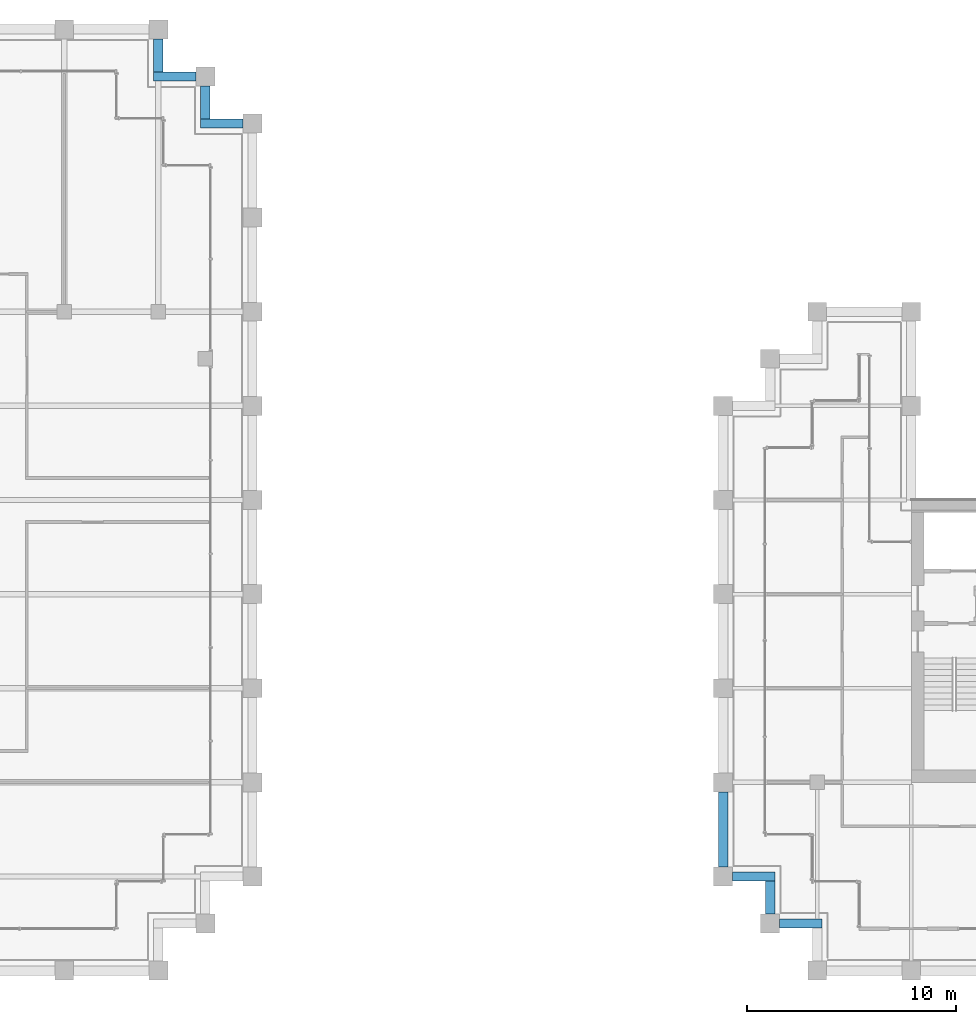
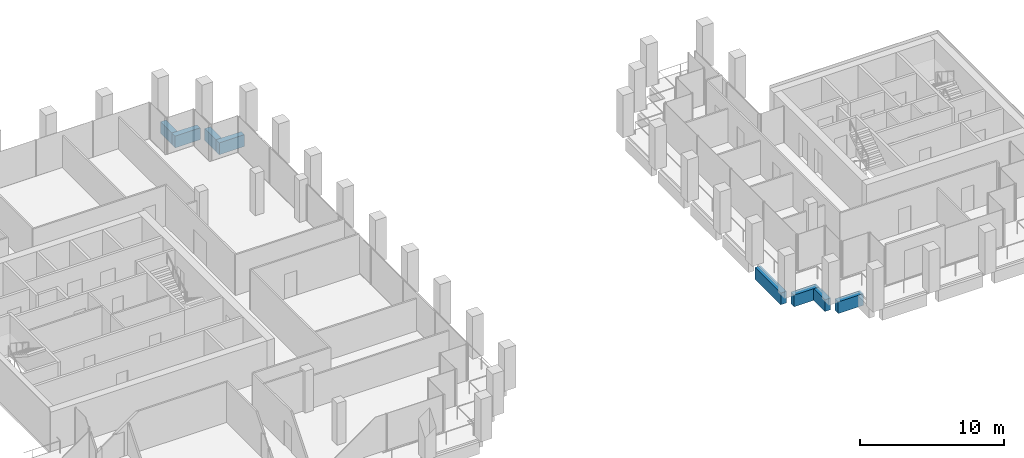
# One storey, part 27 of 40: 8 beams.
"""IFC4 building model written with IfcOpenShell, lengths in metres."""

from ifc_helpers import new_model, si_unit, direction, frame, origin, origin_2d, place, context, subcontext, project, spatial, rectangle, extrude, material, material_profile, profile_set, type_object, element, save


model = new_model("IFC4")

# Units and contexts
model_context = context("Model", 3, precision=1e-05, world=origin(), true_north=direction((0.0, 1.0)))
body_context = subcontext(model_context, "Body", "Model", "MODEL_VIEW")
ifc_project = project(units=[si_unit("LENGTHUNIT", "METRE"), si_unit("AREAUNIT", "SQUARE_METRE"), si_unit("VOLUMEUNIT", "CUBIC_METRE"), si_unit("PLANEANGLEUNIT", "RADIAN"), si_unit("MASSUNIT", "GRAM", prefix="KILO")], contexts=[model_context])

# Site, building, storey
site_placement = place(None, origin())
site = spatial("IfcSite", under=ifc_project, at=site_placement, CompositionType="ELEMENT")
building_placement = place(site_placement, origin())
building = spatial("IfcBuilding", under=site, at=building_placement, Name="Altepetl Exchange Towers", CompositionType="ELEMENT")
storey_placement = place(building_placement, frame((0.0, 0.0, 183.39990234375)))
storey = spatial("IfcBuildingStorey", under=building, at=storey_placement, Name="L46", CompositionType="ELEMENT", Elevation=183.39990234375)

# Beams
ifc_material_1 = material(Name="Concrete C50/60 precast with cantera rosa facing", Category="concrete")
ifc_material_profile_1 = material_profile(ifc_material_1, rectangle(XDim=0.449951171875, YDim=1.0, at=origin_2d()), Name="450 x 1000")
ifc_profile_set_1 = profile_set([ifc_material_profile_1], Name="Concrete C50/60 precast with cantera rosa facing")
beam_type_1 = type_object("IfcBeamType", Name="Spandrel beam 450x1000 cantera rosa", PredefinedType="SPANDREL", material=ifc_profile_set_1)
beam_1_placement = place(storey_placement, frame((71.550048828125, 67.5, -0.64990234375), z_axis=(-1.0, 0.0, 0.0), x_axis=(0.0, -1.0, 0.0)))
element("IfcBeam", 1, at=beam_1_placement, inside=storey, type_object=beam_type_1, Name="sp:A:L46:020", PredefinedType="SPANDREL", context=body_context, shape_type="SweptSolid", body=[
    extrude(rectangle(XDim=0.449951171875, YDim=1.0, at=origin_2d()), origin(), (0.0, 0.0, 1.0), 2.025146484375),
])
beam_2_placement = place(storey_placement, frame((69.75, 67.72509765625, -0.64990234375), z_axis=(0.0, 1.0, 0.0), x_axis=(-1.0, 0.0, 0.0)))
element("IfcBeam", 2, at=beam_2_placement, inside=storey, type_object=beam_type_1, Name="sp:A:L46:021", PredefinedType="SPANDREL", context=body_context, shape_type="SweptSolid", body=[
    extrude(rectangle(XDim=0.449951171875, YDim=1.0, at=origin_2d()), origin(), (0.0, 0.0, 1.0), 1.574951171875),
])
beam_3_placement = place(storey_placement, frame((69.300048828125, 69.75, -0.64990234375), z_axis=(-1.0, 0.0, 0.0), x_axis=(0.0, -1.0, 0.0)))
element("IfcBeam", 3, at=beam_3_placement, inside=storey, type_object=beam_type_1, Name="sp:A:L46:022", PredefinedType="SPANDREL", context=body_context, shape_type="SweptSolid", body=[
    extrude(rectangle(XDim=0.449951171875, YDim=1.0, at=origin_2d()), origin(), (0.0, 0.0, 1.0), 2.025146484375),
])
beam_4_placement = place(storey_placement, frame((67.5, 69.97509765625, -0.64990234375), z_axis=(0.0, 1.0, 0.0), x_axis=(-1.0, 0.0, 0.0)))
element("IfcBeam", 4, at=beam_4_placement, inside=storey, type_object=beam_type_1, Name="sp:A:L46:023", PredefinedType="SPANDREL", context=body_context, shape_type="SweptSolid", body=[
    extrude(rectangle(XDim=0.449951171875, YDim=1.0, at=origin_2d()), origin(), (0.0, 0.0, 1.0), 1.574951171875),
])
ifc_material_2 = material(Name="Concrete C50/60 precast with tezontle facing", Category="concrete")
ifc_material_profile_2 = material_profile(ifc_material_2, rectangle(XDim=0.449951171875, YDim=1.0, at=origin_2d()), Name="450 x 1000")
ifc_profile_set_2 = profile_set([ifc_material_profile_2], Name="Concrete C50/60 precast with tezontle facing")
beam_type_2 = type_object("IfcBeamType", Name="Spandrel beam 450x1000 tezontle", PredefinedType="SPANDREL", material=ifc_profile_set_2)
beam_5_placement = place(storey_placement, frame((94.5, 35.550048828125, -0.64990234375), z_axis=(0.0, -1.0, 0.0), x_axis=(1.0, 0.0, 0.0)))
element("IfcBeam", 5, at=beam_5_placement, inside=storey, type_object=beam_type_2, Name="sp:B:L46:019", PredefinedType="SPANDREL", context=body_context, shape_type="SweptSolid", body=[
    extrude(rectangle(XDim=0.449951171875, YDim=1.0, at=origin_2d()), origin(), (0.0, 0.0, 1.0), 3.60009765625),
])
beam_6_placement = place(storey_placement, frame((94.949951171875, 31.5, -0.64990234375), z_axis=(1.0, 0.0, 0.0), x_axis=(0.0, 1.0, 0.0)))
element("IfcBeam", 6, at=beam_6_placement, inside=storey, type_object=beam_type_2, Name="sp:B:L46:020", PredefinedType="SPANDREL", context=body_context, shape_type="SweptSolid", body=[
    extrude(rectangle(XDim=0.449951171875, YDim=1.0, at=origin_2d()), origin(), (0.0, 0.0, 1.0), 2.025146484375),
])
beam_7_placement = place(storey_placement, frame((96.75, 31.27490234375, -0.64990234375), z_axis=(0.0, -1.0, 0.0), x_axis=(1.0, 0.0, 0.0)))
element("IfcBeam", 7, at=beam_7_placement, inside=storey, type_object=beam_type_2, Name="sp:B:L46:021", PredefinedType="SPANDREL", context=body_context, shape_type="SweptSolid", body=[
    extrude(rectangle(XDim=0.449951171875, YDim=1.0, at=origin_2d()), origin(), (0.0, 0.0, 1.0), 1.574951171875),
])
beam_8_placement = place(storey_placement, frame((97.199951171875, 29.25, -0.64990234375), z_axis=(1.0, 0.0, 0.0), x_axis=(0.0, 1.0, 0.0)))
element("IfcBeam", 8, at=beam_8_placement, inside=storey, type_object=beam_type_2, Name="sp:B:L46:022", PredefinedType="SPANDREL", context=body_context, shape_type="SweptSolid", body=[
    extrude(rectangle(XDim=0.449951171875, YDim=1.0, at=origin_2d()), origin(), (0.0, 0.0, 1.0), 2.025146484375),
])

save(model, "model.ifc")
